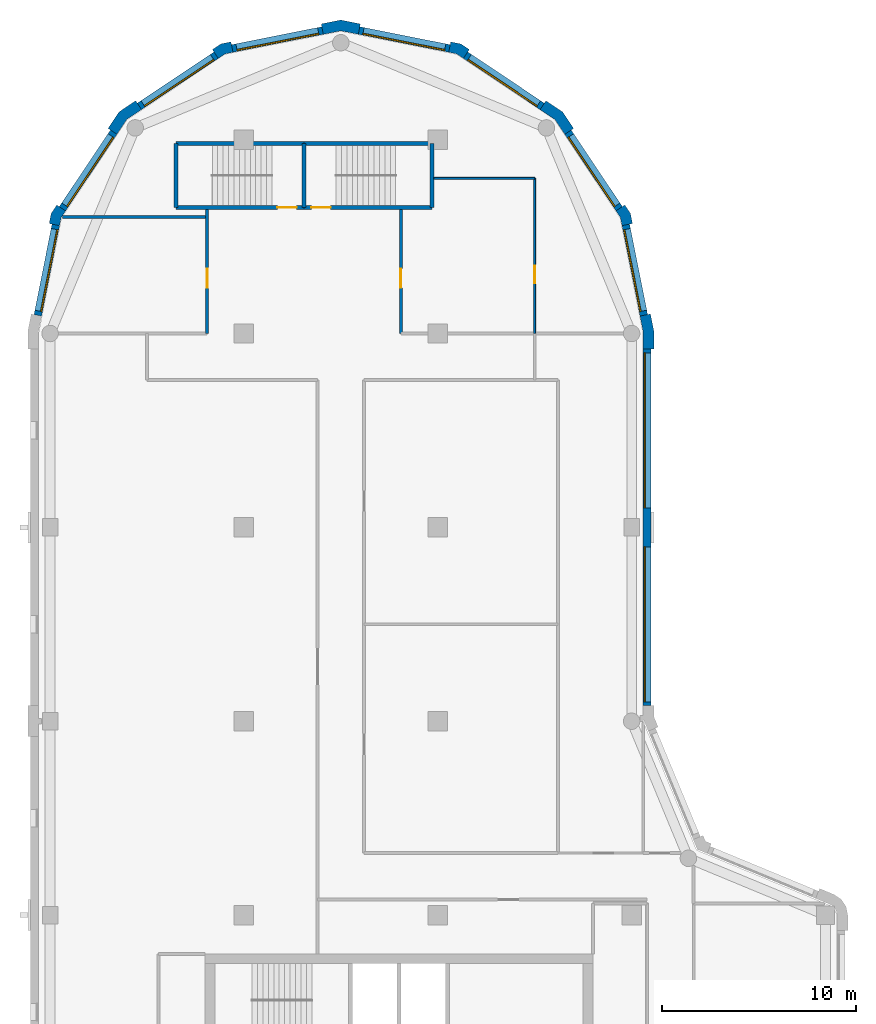
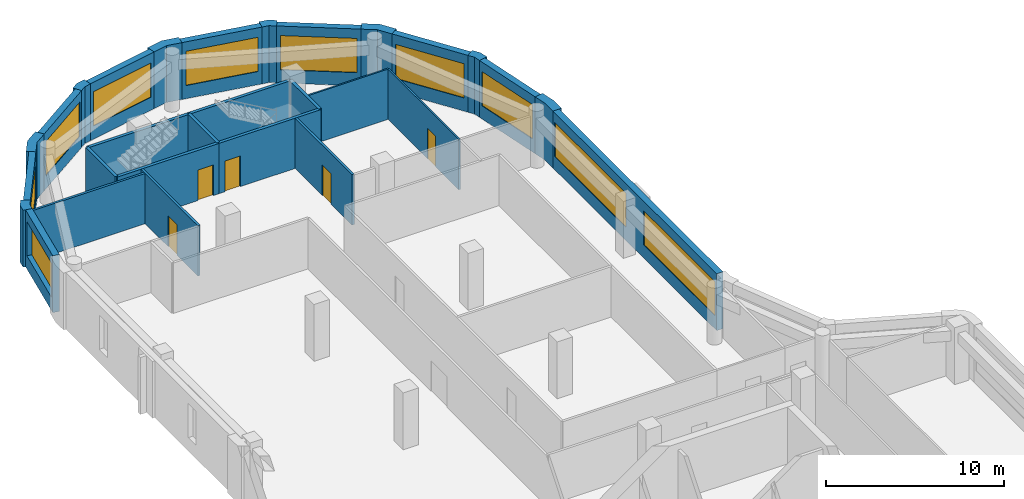
# One storey, part 5 of 8: 29 walls, 10 windows, 5 doors, 15 openings.
"""IFC4 building model written with IfcOpenShell, lengths in metres."""

import ifcopenshell
import ifcopenshell.guid

model = None  # the IFC model being written
_history = None  # IfcOwnerHistory: only IFC2X3 demands one
_inside = {}  # id of a spatial element -> (the spatial element, [elements in it])
_under = {}  # id of a project, library or spatial element -> (it, [spatial elements below it])
_declared = {}  # id of a project -> (the project, [libraries it declares])
_typed = {}  # id of a type object -> (the type object, [elements of that type])
_made_of = {}  # id of a material, layer set ... -> (it, [elements and type objects made of it])


def new_model(schema):
    """Start an empty IFC model of exactly this schema.

    Asked for "IFC4X3", IfcOpenShell would pick the latest addendum, in which some entities
    have other attributes; the version numbers below select the first issue.
    IFC2X3 requires an IfcOwnerHistory on every rooted entity: one is made here for all.
    """
    global model, _history
    if schema == "IFC4X3":
        model = ifcopenshell.file(schema_version=(4, 3, 0, 0))
    else:
        model = ifcopenshell.file(schema=schema)
    _inside.clear()
    _under.clear()
    _declared.clear()
    _typed.clear()
    _made_of.clear()
    _history = None
    if model.schema == "IFC2X3":
        org = make("IfcOrganization", Name="unknown")
        user = make(
            "IfcPersonAndOrganization",
            ThePerson=make("IfcPerson", FamilyName="unknown"),
            TheOrganization=org,
        )
        app = make(
            "IfcApplication",
            ApplicationDeveloper=org,
            Version="unknown",
            ApplicationFullName="unknown",
            ApplicationIdentifier="unknown",
        )
        _history = make(
            "IfcOwnerHistory",
            OwningUser=user,
            OwningApplication=app,
            ChangeAction="ADDED",
            CreationDate=0,
        )
    return model


def make(cls, **values):
    """One entity of the class cls with the attributes given. An attribute that is None is left unset."""
    return model.create_entity(
        cls, **{name: value for name, value in values.items() if value is not None}
    )


def rooted(cls, **values):
    """An entity with a GlobalId (a new one), such as an element, a storey or a relation."""
    return make(cls, GlobalId=ifcopenshell.guid.new(), OwnerHistory=_history, **values)


def si_unit(unit_type, name, prefix=None):
    """IfcSIUnit, for example si_unit("LENGTHUNIT", "METRE", prefix="MILLI")."""
    return make("IfcSIUnit", UnitType=unit_type, Prefix=prefix, Name=name)


def assignment(units):
    """IfcUnitAssignment: the units of a project."""
    return None if units is None else make("IfcUnitAssignment", Units=units)


def point(xyz):
    """IfcCartesianPoint."""
    return None if xyz is None else make("IfcCartesianPoint", Coordinates=xyz)


def direction(xyz):
    """IfcDirection."""
    return None if xyz is None else make("IfcDirection", DirectionRatios=xyz)


def frame(location, z_axis=None, x_axis=None):
    """IfcAxis2Placement3D, a coordinate frame: its origin and axes. An axis left out is left unset."""
    return make(
        "IfcAxis2Placement3D",
        Location=point(location),
        Axis=direction(z_axis),
        RefDirection=direction(x_axis),
    )


def frame_2d(location, x_axis=None):
    """IfcAxis2Placement2D, a coordinate frame in the plane: its origin and x axis."""
    return make(
        "IfcAxis2Placement2D", Location=point(location), RefDirection=direction(x_axis)
    )


def origin():
    """The frame at (0, 0, 0) with its axes left unset."""
    return frame((0.0, 0.0, 0.0))


def place(relative_to, where):
    """IfcLocalPlacement: puts the frame where relative to a parent placement (None: the world)."""
    return make(
        "IfcLocalPlacement", PlacementRelTo=relative_to, RelativePlacement=where
    )


def context(
    kind, dimensions, precision=None, world=None, true_north=None, identifier=None
):
    """IfcGeometricRepresentationContext, for example the 3D "Model" context."""
    return make(
        "IfcGeometricRepresentationContext",
        ContextIdentifier=identifier,
        ContextType=kind,
        CoordinateSpaceDimension=dimensions,
        Precision=precision,
        WorldCoordinateSystem=world,
        TrueNorth=true_north,
    )


def subcontext(parent, identifier, kind, view, scale=None):
    """IfcGeometricRepresentationSubContext, for example "Body" below "Model"."""
    return make(
        "IfcGeometricRepresentationSubContext",
        ContextIdentifier=identifier,
        ContextType=kind,
        ParentContext=parent,
        TargetScale=scale,
        TargetView=view,
    )


def project(units=None, contexts=None):
    """IfcProject with its units and contexts."""
    return rooted(
        "IfcProject",
        Name="project",
        RepresentationContexts=contexts,
        UnitsInContext=assignment(units),
    )


def spatial(cls, under=None, at=None, **own):
    """A site, building, storey or space (cls), placed at a placement, below another one or the project."""
    s = rooted(cls, ObjectPlacement=at, **own)
    if under is not None:
        _under.setdefault(under.id(), (under, []))[1].append(s)
    return s


def polyline(points):
    """IfcPolyline through the points."""
    return make("IfcPolyline", Points=[point(p) for p in points])


def profile(cls, at=None, kind="AREA", **sizes):
    """A parametric profile (cls). Its sizes go by their IFC names, for example OverallWidth=200.0."""
    return make(cls, ProfileType=kind, Position=at, **sizes)


def rectangle(**sizes):
    """IfcRectangleProfileDef."""
    return profile("IfcRectangleProfileDef", **sizes)


def outline(outer, holes=None, kind="AREA"):
    """IfcArbitraryClosedProfileDef: a profile drawn as a closed curve; with holes, ...WithVoids."""
    if holes is None:
        return make("IfcArbitraryClosedProfileDef", ProfileType=kind, OuterCurve=outer)
    return make(
        "IfcArbitraryProfileDefWithVoids",
        ProfileType=kind,
        OuterCurve=outer,
        InnerCurves=holes,
    )


def extrude(swept, where, along, depth):
    """IfcExtrudedAreaSolid: the profile swept, set in the frame where, extruded along a direction by depth."""
    return make(
        "IfcExtrudedAreaSolid",
        SweptArea=swept,
        Position=where,
        ExtrudedDirection=direction(along),
        Depth=depth,
    )


def shape(context_of_items, identifier, shape_type, items):
    """IfcShapeRepresentation: the items that make up one representation, for example the "Body"."""
    return make(
        "IfcShapeRepresentation",
        ContextOfItems=context_of_items,
        RepresentationIdentifier=identifier,
        RepresentationType=shape_type,
        Items=items,
    )


def material(Name=None, Category=None):
    """IfcMaterial."""
    return make("IfcMaterial", Name=Name, Category=Category)


def layer(
    of_material, thickness, ventilated=None, Name=None, Category=None, Priority=None
):
    """IfcMaterialLayer: one layer of a wall or slab, of a material (None: an air gap)."""
    return make(
        "IfcMaterialLayer",
        Material=of_material,
        LayerThickness=thickness,
        IsVentilated=ventilated,
        Name=Name,
        Category=Category,
        Priority=Priority,
    )


def layer_set(layers, Name=None):
    """IfcMaterialLayerSet."""
    return make("IfcMaterialLayerSet", MaterialLayers=layers, LayerSetName=Name)


def made_of(thing, what):
    """Note that an element or type object is made of a material, layer set ...; save() writes the relation."""
    if what is not None:
        _made_of.setdefault(what.id(), (what, []))[1].append(thing)
    return thing


def type_object(cls, material=None, **own):
    """A type object (cls), such as IfcWallType, which elements share."""
    return made_of(rooted(cls, **own), material)


def element(
    cls,
    number,
    at=None,
    inside=None,
    cuts=None,
    type_object=None,
    material=None,
    context=None,
    identifier="Body",
    shape_type=None,
    held_by="IfcProductDefinitionShape",
    body=None,
    shapes=None,
    **own,
):
    """One element of the class cls, such as IfcWall. Its Tag is "e" and its number.

    at: its placement. inside: the storey or other place that contains it. cuts: it is an
    opening in that element (IfcRelVoidsElement). A single representation is given by context,
    identifier, shape_type and body (its items); several are given by shapes. held_by: the class
    of the entity that holds the representations. save() writes the other relations.
    """
    e = rooted(cls, Tag="e%d" % number, ObjectPlacement=at, **own)
    if body is not None:
        shapes = [shape(context, identifier, shape_type, body)]
    if shapes is not None:
        e.Representation = make(held_by, Representations=shapes)
    if inside is not None:
        _inside.setdefault(inside.id(), (inside, []))[1].append(e)
    if cuts is not None:
        rooted(
            "IfcRelVoidsElement", RelatingBuildingElement=cuts, RelatedOpeningElement=e
        )
    if type_object is not None:
        _typed.setdefault(type_object.id(), (type_object, []))[1].append(e)
    return made_of(e, material)


def fill(opening, filler):
    """IfcRelFillsElement: the door or window that sits in an opening."""
    return rooted(
        "IfcRelFillsElement",
        RelatingOpeningElement=opening,
        RelatedBuildingElement=filler,
    )


def aggregate(whole, parts):
    """IfcRelAggregates: a whole, such as a stair, and the parts it consists of."""
    return rooted("IfcRelAggregates", RelatingObject=whole, RelatedObjects=parts)


def save(model, path):
    """Write the relations noted so far, then the file.

    IfcRelAggregates (storeys below a building ...), IfcRelContainedInSpatialStructure (elements
    in a storey), IfcRelDefinesByType, IfcRelAssociatesMaterial and IfcRelDeclares: one each for
    every whole, place, type object, material and project.
    """
    for whole, parts in _under.values():
        aggregate(whole, parts)
    for where, things in _inside.values():
        rooted(
            "IfcRelContainedInSpatialStructure",
            RelatedElements=things,
            RelatingStructure=where,
        )
    for kind, things in _typed.values():
        rooted("IfcRelDefinesByType", RelatedObjects=things, RelatingType=kind)
    for what, things in _made_of.values():
        rooted("IfcRelAssociatesMaterial", RelatedObjects=things, RelatingMaterial=what)
    for by, libraries in _declared.values():
        rooted("IfcRelDeclares", RelatingContext=by, RelatedDefinitions=libraries)
    model.write(path)


model = new_model("IFC4")

# Units and contexts
model_context = context("Model", 3, precision=1e-05, world=origin(), true_north=direction((0.0, 1.0)))
body_context = subcontext(model_context, "Body", "Model", "MODEL_VIEW")
ifc_project = project(units=[si_unit("LENGTHUNIT", "METRE"), si_unit("AREAUNIT", "SQUARE_METRE"), si_unit("VOLUMEUNIT", "CUBIC_METRE"), si_unit("PLANEANGLEUNIT", "RADIAN"), si_unit("MASSUNIT", "GRAM", prefix="KILO")], contexts=[model_context])

# Site, building, storey
site_placement = place(None, origin())
site = spatial("IfcSite", under=ifc_project, at=site_placement, CompositionType="ELEMENT")
building_placement = place(site_placement, origin())
building = spatial("IfcBuilding", under=site, at=building_placement, Name="Qaws Garden Tower", CompositionType="ELEMENT")
storey_placement = place(building_placement, frame((0.0, 0.0, 348.89990234375)))
storey = spatial("IfcBuildingStorey", under=building, at=storey_placement, Name="L85", CompositionType="ELEMENT", Elevation=348.89990234375)

# Wall, openings, windows
ifc_material_1 = material(Name="Buff clay facing brick masonry", Category="masonry")
ifc_layer_1 = layer(ifc_material_1, 0.39990234375)
ifc_layer_set_1 = layer_set([ifc_layer_1], Name="Buff clay facing brick masonry")
wall_type_1 = type_object("IfcWallType", Name="Buff brick infill wall 400", PredefinedType="SOLIDWALL", material=ifc_layer_set_1)
wall_1_placement = place(storey_placement, frame((30.800048828125, 40.800048828125, 0.0), z_axis=(0.0, 0.0, 1.0), x_axis=(0.0, 1.0, 0.0)))
wall_1 = element("IfcWall", 1, at=wall_1_placement, inside=storey, type_object=wall_type_1, Name="E-L85-infill-07", PredefinedType="SOLIDWALL", context=body_context, shape_type="SweptSolid", body=[
    extrude(rectangle(XDim=18.39990234375, YDim=0.39990234375, at=frame_2d((9.199951171875, 0.0))), origin(), (0.0, 0.0, 1.0), 3.900146484375),
])
opening_1_placement = place(wall_1_placement, frame((0.199951171875, 0.0, 0.89990234375)))
opening_1 = element("IfcOpeningElement", 2, at=opening_1_placement, cuts=wall_1, Name="Opening W01", PredefinedType="OPENING", context=body_context, shape_type="SweptSolid", body=[
    extrude(rectangle(XDim=8.0, YDim=2.35009765625, at=frame_2d((4.0, 1.175048828125))), frame((0.0, 0.2099609375, 0.0), z_axis=(0.0, -1.0, 0.0), x_axis=(1.0, 0.0, 0.0)), (0.0, 0.0, 1.0), 0.419921875),
])
opening_2_placement = place(wall_1_placement, frame((10.199951171875, 0.0, 0.89990234375)))
opening_2 = element("IfcOpeningElement", 3, at=opening_2_placement, cuts=wall_1, Name="Opening W01", PredefinedType="OPENING", context=body_context, shape_type="SweptSolid", body=[
    extrude(rectangle(XDim=8.0, YDim=2.35009765625, at=frame_2d((4.0, 1.175048828125))), frame((0.0, 0.2099609375, 0.0), z_axis=(0.0, -1.0, 0.0), x_axis=(1.0, 0.0, 0.0)), (0.0, 0.0, 1.0), 0.419921875),
])
ifc_material_2 = material(Name="Aluminium framed window, clear glazing", Category="aluminium")
window_type_1 = type_object("IfcWindowType", Name="Ribbon window 8000 x 2350", PartitioningType="DOUBLE_PANEL_VERTICAL", PredefinedType="WINDOW", material=ifc_material_2)
window_1_placement = place(opening_1_placement, origin())
window_1 = element("IfcWindow", 4, at=window_1_placement, inside=storey, type_object=window_type_1, Name="E-L85-window-07-0", OverallHeight=2.35009765625, OverallWidth=8.0, PartitioningType="SINGLE_PANEL", PredefinedType="WINDOW", context=body_context, shape_type="SweptSolid", body=[
    extrude(rectangle(XDim=8.0, YDim=2.35009765625, at=frame_2d((4.0, 1.175048828125))), frame((0.0, 0.159912109375, 0.0), z_axis=(0.0, -1.0, 0.0), x_axis=(1.0, 0.0, 0.0)), (0.0, 0.0, 1.0), 0.06005859375),
])
fill(opening_1, window_1)
window_2_placement = place(opening_2_placement, origin())
window_2 = element("IfcWindow", 5, at=window_2_placement, inside=storey, type_object=window_type_1, Name="E-L85-window-08-0", OverallHeight=2.35009765625, OverallWidth=8.0, PartitioningType="SINGLE_PANEL", PredefinedType="WINDOW", context=body_context, shape_type="SweptSolid", body=[
    extrude(rectangle(XDim=8.0, YDim=2.35009765625, at=frame_2d((4.0, 1.175048828125))), frame((0.0, 0.159912109375, 0.0), z_axis=(0.0, -1.0, 0.0), x_axis=(1.0, 0.0, 0.0)), (0.0, 0.0, 1.0), 0.06005859375),
])
fill(opening_2, window_2)

# Wall, opening, window
wall_2_placement = place(storey_placement, frame((30.628662109375, 60.940673828125, 0.0), z_axis=(0.0, 0.0, 1.0), x_axis=(-0.195098533057, 0.98078364709, 0.0)))
wall_2 = element("IfcWall", 6, at=wall_2_placement, inside=storey, type_object=wall_type_1, Name="E-L85-infill-09", PredefinedType="SOLIDWALL", context=body_context, shape_type="SweptSolid", body=[
    extrude(rectangle(XDim=4.752685546875, YDim=0.39990234375, at=frame_2d((2.37646484375, 0.0))), origin(), (0.0, 0.0, 1.0), 3.900146484375),
])
opening_3_placement = place(wall_2_placement, frame((0.226318359375, 0.0, 0.89990234375)))
opening_3 = element("IfcOpeningElement", 7, at=opening_3_placement, cuts=wall_2, Name="Opening W06", PredefinedType="OPENING", context=body_context, shape_type="SweptSolid", body=[
    extrude(rectangle(XDim=4.300048828125, YDim=2.35009765625, at=frame_2d((2.14990234375, 1.175048828125))), frame((0.0, 0.2099609375, 0.0), z_axis=(0.0, -1.0, 0.0), x_axis=(1.0, 0.0, 0.0)), (0.0, 0.0, 1.0), 0.419921875),
])
ifc_material_3 = material(Name="Aluminium framed window, clear glazing", Category="aluminium")
window_type_2 = type_object("IfcWindowType", Name="Ribbon window 4300 x 2350", PartitioningType="DOUBLE_PANEL_VERTICAL", PredefinedType="WINDOW", material=ifc_material_3)
window_3_placement = place(opening_3_placement, origin())
window_3 = element("IfcWindow", 8, at=window_3_placement, inside=storey, type_object=window_type_2, Name="E-L85-window-09-0", OverallHeight=2.35009765625, OverallWidth=4.300048828125, PartitioningType="SINGLE_PANEL", PredefinedType="WINDOW", context=body_context, shape_type="SweptSolid", body=[
    extrude(rectangle(XDim=4.300048828125, YDim=2.35009765625, at=frame_2d((2.14990234375, 1.175048828125))), frame((0.0, 0.159912109375, 0.0), z_axis=(0.0, -1.0, 0.0), x_axis=(1.0, 0.0, 0.0)), (0.0, 0.0, 1.0), 0.06005859375),
])
fill(opening_3, window_3)

wall_3_placement = place(storey_placement, frame((29.356689453125, 66.43408203125, 0.0), z_axis=(0.0, 0.0, 1.0), x_axis=(-0.555541552266, 0.831488775454, 0.0)))
wall_3 = element("IfcWall", 9, at=wall_3_placement, inside=storey, type_object=wall_type_1, Name="E-L85-infill-10", PredefinedType="SOLIDWALL", context=body_context, shape_type="SweptSolid", body=[
    extrude(rectangle(XDim=4.752685546875, YDim=0.39990234375, at=frame_2d((2.37646484375, 0.0))), origin(), (0.0, 0.0, 1.0), 3.900146484375),
])
opening_4_placement = place(wall_3_placement, frame((0.226318359375, 0.0, 0.89990234375)))
opening_4 = element("IfcOpeningElement", 10, at=opening_4_placement, cuts=wall_3, Name="Opening W06", PredefinedType="OPENING", context=body_context, shape_type="SweptSolid", body=[
    extrude(rectangle(XDim=4.300048828125, YDim=2.35009765625, at=frame_2d((2.14990234375, 1.175048828125))), frame((0.0, 0.2099609375, 0.0), z_axis=(0.0, -1.0, 0.0), x_axis=(1.0, 0.0, 0.0)), (0.0, 0.0, 1.0), 0.419921875),
])
window_4_placement = place(opening_4_placement, origin())
window_4 = element("IfcWindow", 11, at=window_4_placement, inside=storey, type_object=window_type_2, Name="E-L85-window-10-0", OverallHeight=2.35009765625, OverallWidth=4.300048828125, PartitioningType="SINGLE_PANEL", PredefinedType="WINDOW", context=body_context, shape_type="SweptSolid", body=[
    extrude(rectangle(XDim=4.300048828125, YDim=2.35009765625, at=frame_2d((2.14990234375, 1.175048828125))), frame((0.0, 0.159912109375, 0.0), z_axis=(0.0, -1.0, 0.0), x_axis=(1.0, 0.0, 0.0)), (0.0, 0.0, 1.0), 0.06005859375),
])
fill(opening_4, window_4)

wall_4_placement = place(storey_placement, frame((25.385986328125, 71.71630859375, 0.0), z_axis=(0.0, 0.0, 1.0), x_axis=(-0.831488775454, 0.555541552266, 0.0)))
wall_4 = element("IfcWall", 12, at=wall_4_placement, inside=storey, type_object=wall_type_1, Name="E-L85-infill-11", PredefinedType="SOLIDWALL", context=body_context, shape_type="SweptSolid", body=[
    extrude(rectangle(XDim=4.752685546875, YDim=0.39990234375, at=frame_2d((2.37646484375, 0.0))), origin(), (0.0, 0.0, 1.0), 3.900146484375),
])
opening_5_placement = place(wall_4_placement, frame((0.226318359375, 0.0, 0.89990234375)))
opening_5 = element("IfcOpeningElement", 13, at=opening_5_placement, cuts=wall_4, Name="Opening W06", PredefinedType="OPENING", context=body_context, shape_type="SweptSolid", body=[
    extrude(rectangle(XDim=4.300048828125, YDim=2.35009765625, at=frame_2d((2.14990234375, 1.175048828125))), frame((0.0, 0.2099609375, 0.0), z_axis=(0.0, -1.0, 0.0), x_axis=(1.0, 0.0, 0.0)), (0.0, 0.0, 1.0), 0.419921875),
])
window_5_placement = place(opening_5_placement, origin())
window_5 = element("IfcWindow", 14, at=window_5_placement, inside=storey, type_object=window_type_2, Name="E-L85-window-11-0", OverallHeight=2.35009765625, OverallWidth=4.300048828125, PartitioningType="SINGLE_PANEL", PredefinedType="WINDOW", context=body_context, shape_type="SweptSolid", body=[
    extrude(rectangle(XDim=4.300048828125, YDim=2.35009765625, at=frame_2d((2.14990234375, 1.175048828125))), frame((0.0, 0.159912109375, 0.0), z_axis=(0.0, -1.0, 0.0), x_axis=(1.0, 0.0, 0.0)), (0.0, 0.0, 1.0), 0.06005859375),
])
fill(opening_5, window_5)

wall_5_placement = place(storey_placement, frame((20.60205078125, 74.701416015625, 0.0), z_axis=(0.0, 0.0, 1.0), x_axis=(-0.98078364709, 0.195098533057, 0.0)))
wall_5 = element("IfcWall", 15, at=wall_5_placement, inside=storey, type_object=wall_type_1, Name="E-L85-infill-12", PredefinedType="SOLIDWALL", context=body_context, shape_type="SweptSolid", body=[
    extrude(rectangle(XDim=4.752685546875, YDim=0.39990234375, at=frame_2d((2.37646484375, 0.0))), origin(), (0.0, 0.0, 1.0), 3.900146484375),
])
opening_6_placement = place(wall_5_placement, frame((0.226318359375, 0.0, 0.89990234375)))
opening_6 = element("IfcOpeningElement", 16, at=opening_6_placement, cuts=wall_5, Name="Opening W06", PredefinedType="OPENING", context=body_context, shape_type="SweptSolid", body=[
    extrude(rectangle(XDim=4.300048828125, YDim=2.35009765625, at=frame_2d((2.14990234375, 1.175048828125))), frame((0.0, 0.2099609375, 0.0), z_axis=(0.0, -1.0, 0.0), x_axis=(1.0, 0.0, 0.0)), (0.0, 0.0, 1.0), 0.419921875),
])
window_6_placement = place(opening_6_placement, origin())
window_6 = element("IfcWindow", 17, at=window_6_placement, inside=storey, type_object=window_type_2, Name="E-L85-window-12-0", OverallHeight=2.35009765625, OverallWidth=4.300048828125, PartitioningType="SINGLE_PANEL", PredefinedType="WINDOW", context=body_context, shape_type="SweptSolid", body=[
    extrude(rectangle(XDim=4.300048828125, YDim=2.35009765625, at=frame_2d((2.14990234375, 1.175048828125))), frame((0.0, 0.159912109375, 0.0), z_axis=(0.0, -1.0, 0.0), x_axis=(1.0, 0.0, 0.0)), (0.0, 0.0, 1.0), 0.06005859375),
])
fill(opening_6, window_6)

wall_6_placement = place(storey_placement, frame((14.059326171875, 75.628662109375, 0.0), z_axis=(0.0, 0.0, 1.0), x_axis=(-0.98078364709, -0.195098533057, 0.0)))
wall_6 = element("IfcWall", 18, at=wall_6_placement, inside=storey, type_object=wall_type_1, Name="E-L85-infill-13", PredefinedType="SOLIDWALL", context=body_context, shape_type="SweptSolid", body=[
    extrude(rectangle(XDim=4.752685546875, YDim=0.39990234375, at=frame_2d((2.37646484375, 0.0))), origin(), (0.0, 0.0, 1.0), 3.900146484375),
])
opening_7_placement = place(wall_6_placement, frame((0.226318359375, 0.0, 0.89990234375)))
opening_7 = element("IfcOpeningElement", 19, at=opening_7_placement, cuts=wall_6, Name="Opening W06", PredefinedType="OPENING", context=body_context, shape_type="SweptSolid", body=[
    extrude(rectangle(XDim=4.300048828125, YDim=2.35009765625, at=frame_2d((2.14990234375, 1.175048828125))), frame((0.0, 0.2099609375, 0.0), z_axis=(0.0, -1.0, 0.0), x_axis=(1.0, 0.0, 0.0)), (0.0, 0.0, 1.0), 0.419921875),
])
window_7_placement = place(opening_7_placement, origin())
window_7 = element("IfcWindow", 20, at=window_7_placement, inside=storey, type_object=window_type_2, Name="E-L85-window-13-0", OverallHeight=2.35009765625, OverallWidth=4.300048828125, PartitioningType="SINGLE_PANEL", PredefinedType="WINDOW", context=body_context, shape_type="SweptSolid", body=[
    extrude(rectangle(XDim=4.300048828125, YDim=2.35009765625, at=frame_2d((2.14990234375, 1.175048828125))), frame((0.0, 0.159912109375, 0.0), z_axis=(0.0, -1.0, 0.0), x_axis=(1.0, 0.0, 0.0)), (0.0, 0.0, 1.0), 0.06005859375),
])
fill(opening_7, window_7)

wall_7_placement = place(storey_placement, frame((8.56591796875, 74.356689453125, 0.0), z_axis=(0.0, 0.0, 1.0), x_axis=(-0.831488775454, -0.555541552266, 0.0)))
wall_7 = element("IfcWall", 21, at=wall_7_placement, inside=storey, type_object=wall_type_1, Name="E-L85-infill-14", PredefinedType="SOLIDWALL", context=body_context, shape_type="SweptSolid", body=[
    extrude(rectangle(XDim=4.752685546875, YDim=0.39990234375, at=frame_2d((2.37646484375, 0.0))), origin(), (0.0, 0.0, 1.0), 3.900146484375),
])
opening_8_placement = place(wall_7_placement, frame((0.226318359375, 0.0, 0.89990234375)))
opening_8 = element("IfcOpeningElement", 22, at=opening_8_placement, cuts=wall_7, Name="Opening W06", PredefinedType="OPENING", context=body_context, shape_type="SweptSolid", body=[
    extrude(rectangle(XDim=4.300048828125, YDim=2.35009765625, at=frame_2d((2.14990234375, 1.175048828125))), frame((0.0, 0.2099609375, 0.0), z_axis=(0.0, -1.0, 0.0), x_axis=(1.0, 0.0, 0.0)), (0.0, 0.0, 1.0), 0.419921875),
])
window_8_placement = place(opening_8_placement, origin())
window_8 = element("IfcWindow", 23, at=window_8_placement, inside=storey, type_object=window_type_2, Name="E-L85-window-14-0", OverallHeight=2.35009765625, OverallWidth=4.300048828125, PartitioningType="SINGLE_PANEL", PredefinedType="WINDOW", context=body_context, shape_type="SweptSolid", body=[
    extrude(rectangle(XDim=4.300048828125, YDim=2.35009765625, at=frame_2d((2.14990234375, 1.175048828125))), frame((0.0, 0.159912109375, 0.0), z_axis=(0.0, -1.0, 0.0), x_axis=(1.0, 0.0, 0.0)), (0.0, 0.0, 1.0), 0.06005859375),
])
fill(opening_8, window_8)

wall_8_placement = place(storey_placement, frame((3.28369140625, 70.385986328125, 0.0), z_axis=(0.0, 0.0, 1.0), x_axis=(-0.555541552266, -0.831488775454, 0.0)))
wall_8 = element("IfcWall", 24, at=wall_8_placement, inside=storey, type_object=wall_type_1, Name="E-L85-infill-15", PredefinedType="SOLIDWALL", context=body_context, shape_type="SweptSolid", body=[
    extrude(rectangle(XDim=4.752685546875, YDim=0.39990234375, at=frame_2d((2.37646484375, 0.0))), origin(), (0.0, 0.0, 1.0), 3.900146484375),
])
opening_9_placement = place(wall_8_placement, frame((0.226318359375, 0.0, 0.89990234375)))
opening_9 = element("IfcOpeningElement", 25, at=opening_9_placement, cuts=wall_8, Name="Opening W06", PredefinedType="OPENING", context=body_context, shape_type="SweptSolid", body=[
    extrude(rectangle(XDim=4.300048828125, YDim=2.35009765625, at=frame_2d((2.14990234375, 1.175048828125))), frame((0.0, 0.2099609375, 0.0), z_axis=(0.0, -1.0, 0.0), x_axis=(1.0, 0.0, 0.0)), (0.0, 0.0, 1.0), 0.419921875),
])
window_9_placement = place(opening_9_placement, origin())
window_9 = element("IfcWindow", 26, at=window_9_placement, inside=storey, type_object=window_type_2, Name="E-L85-window-15-0", OverallHeight=2.35009765625, OverallWidth=4.300048828125, PartitioningType="SINGLE_PANEL", PredefinedType="WINDOW", context=body_context, shape_type="SweptSolid", body=[
    extrude(rectangle(XDim=4.300048828125, YDim=2.35009765625, at=frame_2d((2.14990234375, 1.175048828125))), frame((0.0, 0.159912109375, 0.0), z_axis=(0.0, -1.0, 0.0), x_axis=(1.0, 0.0, 0.0)), (0.0, 0.0, 1.0), 0.06005859375),
])
fill(opening_9, window_9)

wall_9_placement = place(storey_placement, frame((0.298583984375, 65.60205078125, 0.0), z_axis=(0.0, 0.0, 1.0), x_axis=(-0.195098533057, -0.98078364709, 0.0)))
wall_9 = element("IfcWall", 27, at=wall_9_placement, inside=storey, type_object=wall_type_1, Name="E-L85-infill-16", PredefinedType="SOLIDWALL", context=body_context, shape_type="SweptSolid", body=[
    extrude(rectangle(XDim=4.752685546875, YDim=0.39990234375, at=frame_2d((2.37646484375, 0.0))), origin(), (0.0, 0.0, 1.0), 3.900146484375),
])
opening_10_placement = place(wall_9_placement, frame((0.226318359375, 0.0, 0.89990234375)))
opening_10 = element("IfcOpeningElement", 28, at=opening_10_placement, cuts=wall_9, Name="Opening W06", PredefinedType="OPENING", context=body_context, shape_type="SweptSolid", body=[
    extrude(rectangle(XDim=4.300048828125, YDim=2.35009765625, at=frame_2d((2.14990234375, 1.175048828125))), frame((0.0, 0.2099609375, 0.0), z_axis=(0.0, -1.0, 0.0), x_axis=(1.0, 0.0, 0.0)), (0.0, 0.0, 1.0), 0.419921875),
])
window_10_placement = place(opening_10_placement, origin())
window_10 = element("IfcWindow", 29, at=window_10_placement, inside=storey, type_object=window_type_2, Name="E-L85-window-16-0", OverallHeight=2.35009765625, OverallWidth=4.300048828125, PartitioningType="SINGLE_PANEL", PredefinedType="WINDOW", context=body_context, shape_type="SweptSolid", body=[
    extrude(rectangle(XDim=4.300048828125, YDim=2.35009765625, at=frame_2d((2.14990234375, 1.175048828125))), frame((0.0, 0.159912109375, 0.0), z_axis=(0.0, -1.0, 0.0), x_axis=(1.0, 0.0, 0.0)), (0.0, 0.0, 1.0), 0.06005859375),
])
fill(opening_10, window_10)

# Walls
ifc_material_4 = material(Name="Buff clay facing brick masonry", Category="masonry")
ifc_layer_2 = layer(ifc_material_4, 0.550048828125)
ifc_layer_set_2 = layer_set([ifc_layer_2], Name="Buff clay facing brick masonry")
wall_type_2 = type_object("IfcWallType", Name="Buff brick kink pier 550 x 600", PredefinedType="SOLIDWALL", material=ifc_layer_set_2)
placement = place(storey_placement, origin())
element("IfcWall", 30, at=placement, inside=storey, type_object=wall_type_2, Name="E-L85-pier-10", PredefinedType="SOLIDWALL", context=body_context, shape_type="SweptSolid", body=[
    extrude(outline(polyline([(29.8974609375, 65.64111328125), (30.044677734375, 65.67041015625), (29.94140625, 66.18896484375), (29.647705078125, 66.628662109375), (29.52294921875, 66.545166015625), (29.1904296875, 66.322998046875), (29.42333984375, 65.974365234375), (29.505126953125, 65.56298828125), (29.8974609375, 65.64111328125)])), origin(), (0.0, 0.0, 1.0), 3.900146484375),
])
element("IfcWall", 31, at=placement, inside=storey, type_object=wall_type_2, Name="E-L85-pier-12", PredefinedType="SOLIDWALL", context=body_context, shape_type="SweptSolid", body=[
    extrude(outline(polyline([(21.545166015625, 74.52294921875), (21.628662109375, 74.647705078125), (21.18896484375, 74.94140625), (20.67041015625, 75.044677734375), (20.64111328125, 74.8974609375), (20.56298828125, 74.505126953125), (20.974365234375, 74.42333984375), (21.322998046875, 74.1904296875), (21.545166015625, 74.52294921875)])), origin(), (0.0, 0.0, 1.0), 3.900146484375),
])
element("IfcWall", 32, at=placement, inside=storey, type_object=wall_type_2, Name="E-L85-pier-14", PredefinedType="SOLIDWALL", context=body_context, shape_type="SweptSolid", body=[
    extrude(outline(polyline([(9.35888671875, 74.8974609375), (9.32958984375, 75.044677734375), (8.81103515625, 74.94140625), (8.371337890625, 74.647705078125), (8.454833984375, 74.52294921875), (8.677001953125, 74.1904296875), (9.025634765625, 74.42333984375), (9.43701171875, 74.505126953125), (9.35888671875, 74.8974609375)])), origin(), (0.0, 0.0, 1.0), 3.900146484375),
])
element("IfcWall", 33, at=placement, inside=storey, type_object=wall_type_2, Name="E-L85-pier-16", PredefinedType="SOLIDWALL", context=body_context, shape_type="SweptSolid", body=[
    extrude(outline(polyline([(0.47705078125, 66.545166015625), (0.352294921875, 66.628662109375), (0.05859375, 66.18896484375), (-0.044677734375, 65.67041015625), (0.1025390625, 65.64111328125), (0.494873046875, 65.56298828125), (0.57666015625, 65.974365234375), (0.8095703125, 66.322998046875), (0.47705078125, 66.545166015625)])), origin(), (0.0, 0.0, 1.0), 3.900146484375),
])
ifc_material_5 = material(Name="Buff clay facing brick masonry", Category="masonry")
ifc_layer_3 = layer(ifc_material_5, 0.550048828125)
ifc_layer_set_3 = layer_set([ifc_layer_3], Name="Buff clay facing brick masonry")
wall_type_3 = type_object("IfcWallType", Name="Buff brick pier 550 x 1600", PredefinedType="SOLIDWALL", material=ifc_layer_set_3)
element("IfcWall", 34, at=placement, inside=storey, type_object=wall_type_3, Name="E-L85-pier-09", PredefinedType="SOLIDWALL", context=body_context, shape_type="SweptSolid", body=[
    extrude(outline(polyline([(31.0, 59.199951171875), (31.14990234375, 59.199951171875), (31.14990234375, 60.11328125), (30.971923828125, 61.009033203125), (30.82470703125, 60.979736328125), (30.432373046875, 60.901611328125), (30.60009765625, 60.05908203125), (30.60009765625, 59.199951171875), (31.0, 59.199951171875)])), origin(), (0.0, 0.0, 1.0), 3.900146484375),
])
element("IfcWall", 35, at=placement, inside=storey, type_object=wall_type_3, Name="E-L85-pier-11", PredefinedType="SOLIDWALL", context=body_context, shape_type="SweptSolid", body=[
    extrude(outline(polyline([(26.882568359375, 70.4970703125), (27.00732421875, 70.580322265625), (26.435791015625, 71.435791015625), (25.580322265625, 72.00732421875), (25.4970703125, 71.882568359375), (25.274658203125, 71.550048828125), (26.0390625, 71.0390625), (26.550048828125, 70.274658203125), (26.882568359375, 70.4970703125)])), origin(), (0.0, 0.0, 1.0), 3.900146484375),
])
element("IfcWall", 36, at=placement, inside=storey, type_object=wall_type_3, Name="E-L85-pier-13", PredefinedType="SOLIDWALL", context=body_context, shape_type="SweptSolid", body=[
    extrude(outline(polyline([(15.979736328125, 75.82470703125), (16.009033203125, 75.971923828125), (15.0, 76.172607421875), (13.990966796875, 75.971923828125), (14.020263671875, 75.82470703125), (14.098388671875, 75.432373046875), (15.0, 75.61181640625), (15.901611328125, 75.432373046875), (15.979736328125, 75.82470703125)])), origin(), (0.0, 0.0, 1.0), 3.900146484375),
])
element("IfcWall", 37, at=placement, inside=storey, type_object=wall_type_3, Name="E-L85-pier-15", PredefinedType="SOLIDWALL", context=body_context, shape_type="SweptSolid", body=[
    extrude(outline(polyline([(4.5029296875, 71.882568359375), (4.419677734375, 72.00732421875), (3.564208984375, 71.435791015625), (2.99267578125, 70.580322265625), (3.117431640625, 70.4970703125), (3.449951171875, 70.274658203125), (3.9609375, 71.0390625), (4.725341796875, 71.550048828125), (4.5029296875, 71.882568359375)])), origin(), (0.0, 0.0, 1.0), 3.900146484375),
])

# Wall, opening, door
ifc_material_6 = material(Name="Concrete C60", Category="concrete")
ifc_layer_4 = layer(ifc_material_6, 0.199951171875)
ifc_layer_set_4 = layer_set([ifc_layer_4], Name="Concrete C60")
wall_type_4 = type_object("IfcWallType", Name="Core shaft wall 200 C60", PredefinedType="SHEAR", material=ifc_layer_set_4)
wall_18_placement = place(storey_placement, frame((6.5, 66.5, 0.0), z_axis=(0.0, 0.0, 1.0), x_axis=(1.0, 0.0, 0.0)))
wall_18 = element("IfcWall", 38, at=wall_18_placement, inside=storey, type_object=wall_type_4, Name="Shaft wall", PredefinedType="SHEAR", context=body_context, shape_type="SweptSolid", body=[
    extrude(rectangle(XDim=6.60009765625, YDim=0.199951171875, at=frame_2d((3.300048828125, 0.0))), origin(), (0.0, 0.0, 1.0), 3.4501953125),
])
opening_11_placement = place(wall_18_placement, frame((5.22509765625, 0.0, 0.0)))
opening_11 = element("IfcOpeningElement", 39, at=opening_11_placement, cuts=wall_18, Name="Opening SD13", PredefinedType="OPENING", context=body_context, shape_type="SweptSolid", body=[
    extrude(rectangle(XDim=1.0, YDim=2.10009765625, at=frame_2d((0.5, 1.050048828125))), frame((0.0, 0.10986328125, 0.0), z_axis=(0.0, -1.0, 0.0), x_axis=(1.0, 0.0, 0.0)), (0.0, 0.0, 1.0), 0.219970703125),
])
ifc_material_7 = material(Name="Steel S235", Category="steel")
door_type_1 = type_object("IfcDoorType", Name="Stair door 1000x2100", OperationType="SINGLE_SWING_RIGHT", PredefinedType="DOOR", material=ifc_material_7)
door_1_placement = place(opening_11_placement, origin())
door_1 = element("IfcDoor", 40, at=door_1_placement, inside=storey, type_object=door_type_1, Name="Stair 6 door", OperationType="SINGLE_SWING_RIGHT", OverallHeight=2.10009765625, OverallWidth=1.0, PredefinedType="DOOR", context=body_context, shape_type="SweptSolid", body=[
    extrude(rectangle(XDim=1.0, YDim=2.10009765625, at=frame_2d((0.5, 1.050048828125))), frame((0.0, 0.02490234375, 0.0), z_axis=(0.0, -1.0, 0.0), x_axis=(1.0, 0.0, 0.0)), (0.0, 0.0, 1.0), 0.050048828125),
])
fill(opening_11, door_1)

wall_19_placement = place(storey_placement, frame((13.10009765625, 66.5, 0.0), z_axis=(0.0, 0.0, 1.0), x_axis=(1.0, 0.0, 0.0)))
wall_19 = element("IfcWall", 41, at=wall_19_placement, inside=storey, type_object=wall_type_4, Name="Shaft wall", PredefinedType="SHEAR", context=body_context, shape_type="SweptSolid", body=[
    extrude(rectangle(XDim=6.599853515625, YDim=0.199951171875, at=frame_2d((3.2998046875, 0.0))), origin(), (0.0, 0.0, 1.0), 3.4501953125),
])
opening_12_placement = place(wall_19_placement, frame((0.375, 0.0, 0.0)))
opening_12 = element("IfcOpeningElement", 42, at=opening_12_placement, cuts=wall_19, Name="Opening SD14", PredefinedType="OPENING", context=body_context, shape_type="SweptSolid", body=[
    extrude(rectangle(XDim=1.0, YDim=2.10009765625, at=frame_2d((0.5, 1.050048828125))), frame((0.0, 0.10986328125, 0.0), z_axis=(0.0, -1.0, 0.0), x_axis=(1.0, 0.0, 0.0)), (0.0, 0.0, 1.0), 0.219970703125),
])
door_2_placement = place(opening_12_placement, origin())
door_2 = element("IfcDoor", 43, at=door_2_placement, inside=storey, type_object=door_type_1, Name="Stair 7 door", OperationType="SINGLE_SWING_LEFT", OverallHeight=2.10009765625, OverallWidth=1.0, PredefinedType="DOOR", context=body_context, shape_type="SweptSolid", body=[
    extrude(rectangle(XDim=1.0, YDim=2.10009765625, at=frame_2d((0.5, 1.050048828125))), frame((0.0, 0.02490234375, 0.0), z_axis=(0.0, -1.0, 0.0), x_axis=(1.0, 0.0, 0.0)), (0.0, 0.0, 1.0), 0.050048828125),
])
fill(opening_12, door_2)

# Walls
wall_20_placement = place(storey_placement, frame((6.5, 69.800048828125, 0.0), z_axis=(0.0, 0.0, 1.0), x_axis=(1.0, 0.0, 0.0)))
element("IfcWall", 44, at=wall_20_placement, inside=storey, type_object=wall_type_4, Name="Shaft wall", PredefinedType="SHEAR", context=body_context, shape_type="SweptSolid", body=[
    extrude(rectangle(XDim=6.60009765625, YDim=0.199951171875, at=frame_2d((3.300048828125, 0.0))), origin(), (0.0, 0.0, 1.0), 3.4501953125),
])
wall_21_placement = place(storey_placement, frame((13.10009765625, 69.800048828125, 0.0), z_axis=(0.0, 0.0, 1.0), x_axis=(1.0, 0.0, 0.0)))
element("IfcWall", 45, at=wall_21_placement, inside=storey, type_object=wall_type_4, Name="Shaft wall", PredefinedType="SHEAR", context=body_context, shape_type="SweptSolid", body=[
    extrude(rectangle(XDim=6.599853515625, YDim=0.199951171875, at=frame_2d((3.2998046875, 0.0))), origin(), (0.0, 0.0, 1.0), 3.4501953125),
])
for number, where, z_axis, x_axis, name in (
    (46, (6.5, 66.5, 0.0), (0.0, 0.0, 1.0), (0.0, 1.0, 0.0), "Shaft wall"),
    (47, (13.10009765625, 66.5, 0.0), (0.0, 0.0, 1.0), (0.0, 1.0, 0.0), "Shaft wall"),
    (48, (19.699951171875, 66.5, 0.0), (0.0, 0.0, 1.0), (0.0, 1.0, 0.0), "Shaft wall"),
):
    element("IfcWall", number, at=place(storey_placement, frame(where, z_axis=z_axis, x_axis=x_axis)), inside=storey, type_object=wall_type_4, Name=name, PredefinedType="SHEAR", context=body_context, shape_type="SweptSolid", body=[
        extrude(rectangle(XDim=3.300048828125, YDim=0.199951171875, at=frame_2d((1.64990234375, 0.0))), origin(), (0.0, 0.0, 1.0), 3.4501953125),
    ])

# Wall, opening, door
ifc_material_8 = material(Name="Gypsum board partition")
ifc_layer_5 = layer(ifc_material_8, 0.10009765625)
ifc_layer_set_5 = layer_set([ifc_layer_5], Name="Gypsum board partition")
wall_type_5 = type_object("IfcWallType", Name="PARTITION 100", PredefinedType="PARTITIONING", material=ifc_layer_set_5)
wall_22_placement = place(storey_placement, frame((25.0, 60.0, 0.0), z_axis=(0.0, 0.0, 1.0), x_axis=(0.0, 1.0, 0.0)))
wall_22 = element("IfcWall", 49, at=wall_22_placement, inside=storey, type_object=wall_type_5, Name="O-L85-wall-001", PredefinedType="PARTITIONING", context=body_context, shape_type="SweptSolid", body=[
    extrude(rectangle(XDim=8.0, YDim=0.10009765625, at=frame_2d((4.0, 0.0))), origin(), (0.0, 0.0, 1.0), 3.4501953125),
])
opening_13_placement = place(wall_22_placement, frame((2.60009765625, 0.0, 0.0)))
opening_13 = element("IfcOpeningElement", 50, at=opening_13_placement, cuts=wall_22, Name="Opening C1014", PredefinedType="OPENING", context=body_context, shape_type="SweptSolid", body=[
    extrude(rectangle(XDim=0.89990234375, YDim=2.10009765625, at=frame_2d((0.449951171875, 1.050048828125))), frame((0.0, 0.06005859375, 0.0), z_axis=(0.0, -1.0, 0.0), x_axis=(1.0, 0.0, 0.0)), (0.0, 0.0, 1.0), 0.1201171875),
])
ifc_material_9 = material(Name="Timber door leaf", Category="wood")
door_type_2 = type_object("IfcDoorType", Name="OFFICE DOOR 900 X 2100", OperationType="SINGLE_SWING_LEFT", PredefinedType="DOOR", material=ifc_material_9)
door_3_placement = place(opening_13_placement, origin())
door_3 = element("IfcDoor", 51, at=door_3_placement, inside=storey, type_object=door_type_2, Name="O-L85-door-014", OperationType="SINGLE_SWING_LEFT", OverallHeight=2.10009765625, OverallWidth=0.89990234375, PredefinedType="DOOR", context=body_context, shape_type="SweptSolid", body=[
    extrude(rectangle(XDim=0.89990234375, YDim=2.10009765625, at=frame_2d((0.449951171875, 1.050048828125))), frame((0.0, 0.02490234375, 0.0), z_axis=(0.0, -1.0, 0.0), x_axis=(1.0, 0.0, 0.0)), (0.0, 0.0, 1.0), 0.050048828125),
])
fill(opening_13, door_3)

# Wall
wall_23_placement = place(storey_placement, frame((19.800048828125, 68.0, 0.0), z_axis=(0.0, 0.0, 1.0), x_axis=(1.0, 0.0, 0.0)))
element("IfcWall", 52, at=wall_23_placement, inside=storey, type_object=wall_type_5, Name="O-L85-wall-002", PredefinedType="PARTITIONING", context=body_context, shape_type="SweptSolid", body=[
    extrude(rectangle(XDim=5.199951171875, YDim=0.10009765625, at=frame_2d((2.60009765625, 0.0))), origin(), (0.0, 0.0, 1.0), 3.4501953125),
])

# Wall, opening, door
ifc_material_10 = material(Name="Gypsum board partition")
ifc_layer_6 = layer(ifc_material_10, 0.14990234375)
ifc_layer_set_6 = layer_set([ifc_layer_6], Name="Gypsum board partition")
wall_type_6 = type_object("IfcWallType", Name="PARTITION 150 EI 60", PredefinedType="PARTITIONING", material=ifc_layer_set_6)
wall_24_placement = place(storey_placement, frame((8.10009765625, 60.0, 0.0), z_axis=(0.0, 0.0, 1.0), x_axis=(0.0, 1.0, 0.0)))
wall_24 = element("IfcWall", 53, at=wall_24_placement, inside=storey, type_object=wall_type_6, Name="O-L85-wall-005", PredefinedType="PARTITIONING", context=body_context, shape_type="SweptSolid", body=[
    extrude(rectangle(XDim=6.39990234375, YDim=0.14990234375, at=frame_2d((3.199951171875, 0.0))), origin(), (0.0, 0.0, 1.0), 3.4501953125),
])
opening_14_placement = place(wall_24_placement, frame((2.35009765625, 0.0, 0.0)))
opening_14 = element("IfcOpeningElement", 54, at=opening_14_placement, cuts=wall_24, Name="Opening C1013", PredefinedType="OPENING", context=body_context, shape_type="SweptSolid", body=[
    extrude(rectangle(XDim=1.0, YDim=2.10009765625, at=frame_2d((0.5, 1.050048828125))), frame((0.0, 0.0849609375, 0.0), z_axis=(0.0, -1.0, 0.0), x_axis=(1.0, 0.0, 0.0)), (0.0, 0.0, 1.0), 0.169921875),
])
ifc_material_11 = material(Name="Timber door leaf", Category="wood")
door_type_3 = type_object("IfcDoorType", Name="TENANCY ENTRANCE DOOR 1000 X 2100", OperationType="SINGLE_SWING_LEFT", PredefinedType="DOOR", material=ifc_material_11)
door_4_placement = place(opening_14_placement, origin())
door_4 = element("IfcDoor", 55, at=door_4_placement, inside=storey, type_object=door_type_3, Name="O-L85-door-013", OperationType="SINGLE_SWING_LEFT", OverallHeight=2.10009765625, OverallWidth=1.0, PredefinedType="DOOR", context=body_context, shape_type="SweptSolid", body=[
    extrude(rectangle(XDim=1.0, YDim=2.10009765625, at=frame_2d((0.5, 1.050048828125))), frame((0.0, 0.02490234375, 0.0), z_axis=(0.0, -1.0, 0.0), x_axis=(1.0, 0.0, 0.0)), (0.0, 0.0, 1.0), 0.050048828125),
])
fill(opening_14, door_4)

wall_25_placement = place(storey_placement, frame((18.10009765625, 60.0, 0.0), z_axis=(0.0, 0.0, 1.0), x_axis=(0.0, 1.0, 0.0)))
wall_25 = element("IfcWall", 56, at=wall_25_placement, inside=storey, type_object=wall_type_6, Name="O-L85-wall-008", PredefinedType="PARTITIONING", context=body_context, shape_type="SweptSolid", body=[
    extrude(rectangle(XDim=6.39990234375, YDim=0.14990234375, at=frame_2d((3.199951171875, 0.0))), origin(), (0.0, 0.0, 1.0), 3.4501953125),
])
opening_15_placement = place(wall_25_placement, frame((2.35009765625, 0.0, 0.0)))
opening_15 = element("IfcOpeningElement", 57, at=opening_15_placement, cuts=wall_25, Name="Opening C1003", PredefinedType="OPENING", context=body_context, shape_type="SweptSolid", body=[
    extrude(rectangle(XDim=1.0, YDim=2.10009765625, at=frame_2d((0.5, 1.050048828125))), frame((0.0, 0.0849609375, 0.0), z_axis=(0.0, -1.0, 0.0), x_axis=(1.0, 0.0, 0.0)), (0.0, 0.0, 1.0), 0.169921875),
])
door_5_placement = place(opening_15_placement, frame((1.0, 0.0, 0.0), z_axis=(0.0, 0.0, 1.0), x_axis=(-1.0, 0.0, 0.0)))
door_5 = element("IfcDoor", 58, at=door_5_placement, inside=storey, type_object=door_type_3, Name="O-L85-door-003", OperationType="SINGLE_SWING_RIGHT", OverallHeight=2.10009765625, OverallWidth=1.0, PredefinedType="DOOR", context=body_context, shape_type="SweptSolid", body=[
    extrude(rectangle(XDim=1.0, YDim=2.10009765625, at=frame_2d((0.5, 1.050048828125))), frame((0.0, 0.02490234375, 0.0), z_axis=(0.0, -1.0, 0.0), x_axis=(1.0, 0.0, 0.0)), (0.0, 0.0, 1.0), 0.050048828125),
])
fill(opening_15, door_5)

# Wall
wall_26_placement = place(storey_placement, frame((0.643798828125, 66.0, 0.0), z_axis=(0.0, 0.0, 1.0), x_axis=(1.0, 0.0, 0.0)))
element("IfcWall", 59, at=wall_26_placement, inside=storey, type_object=wall_type_6, Name="O-L85-wall-027", PredefinedType="PARTITIONING", context=body_context, shape_type="SweptSolid", body=[
    extrude(rectangle(XDim=7.456298828125, YDim=0.14990234375, at=frame_2d((3.72802734375, 0.0))), origin(), (0.0, 0.0, 1.0), 3.4501953125),
])

save(model, "model.ifc")
